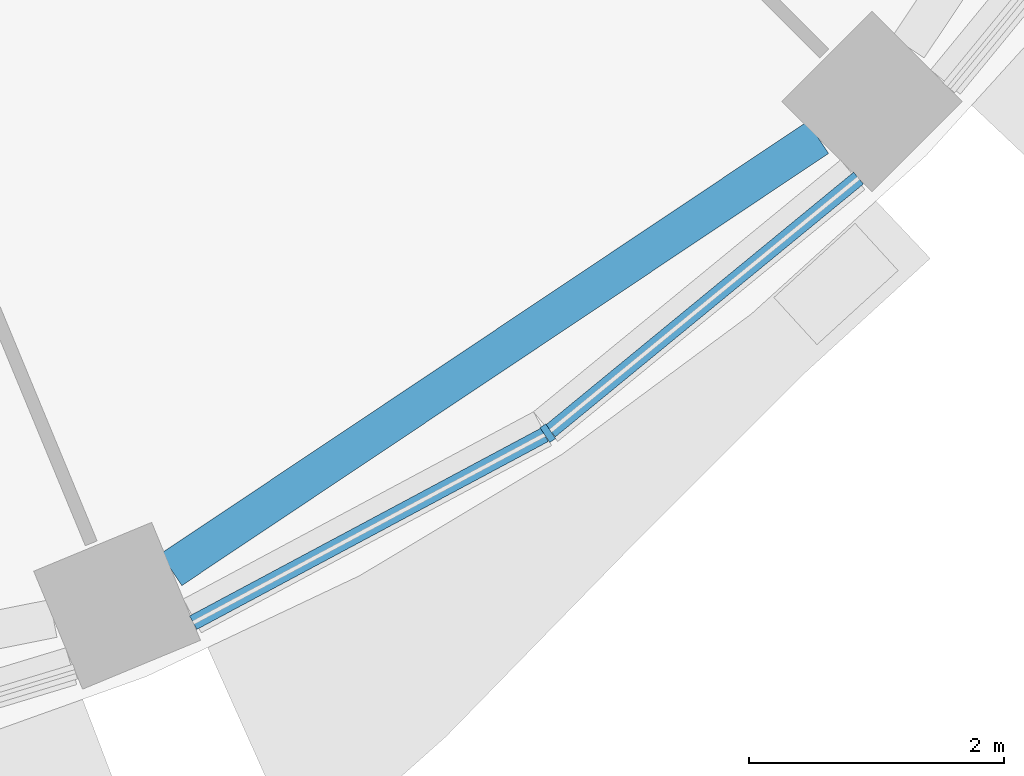
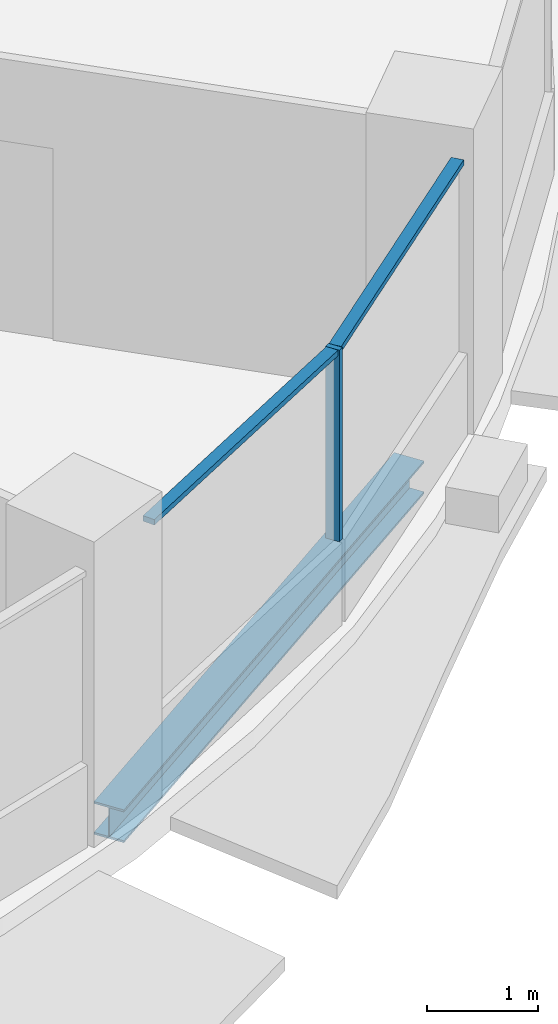
# One storey, part 3 of 15: 3 members, 1 beam, 1 element without a shape of its own.
"""IFC4 building model written with IfcOpenShell, lengths in metres."""

from ifc_helpers import new_model, si_unit, direction, frame, origin, origin_2d, place, context, subcontext, project, spatial, rectangle, i_section, extrude, material, material_profile, profile_set, type_object, element, aggregate, save


model = new_model("IFC4")

# Units and contexts
model_context = context("Model", 3, precision=1e-05, world=origin(), true_north=direction((0.0, 1.0)))
body_context = subcontext(model_context, "Body", "Model", "MODEL_VIEW")
ifc_project = project(units=[si_unit("LENGTHUNIT", "METRE"), si_unit("AREAUNIT", "SQUARE_METRE"), si_unit("VOLUMEUNIT", "CUBIC_METRE"), si_unit("PLANEANGLEUNIT", "RADIAN"), si_unit("MASSUNIT", "GRAM", prefix="KILO")], contexts=[model_context])

# Site, building, storey
site_placement = place(None, origin())
site = spatial("IfcSite", under=ifc_project, at=site_placement, CompositionType="ELEMENT")
building_placement = place(site_placement, origin())
building = spatial("IfcBuilding", under=site, at=building_placement, Name="Polderwave Tower", CompositionType="ELEMENT")
storey_placement = place(building_placement, frame((0.0, 0.0, 157.800048828125)))
storey = spatial("IfcBuildingStorey", under=building, at=storey_placement, Name="L42", CompositionType="ELEMENT", Elevation=157.800048828125)

# Curtain wall, members
ifc_material_1 = material(Name="Aluminium 6063-T6 and glass", Category="aluminium")
curtain_wall_type = type_object("IfcCurtainWallType", Name="Office ribbon glazing wall", PredefinedType="NOTDEFINED", material=ifc_material_1)
curtain_wall_placement = place(storey_placement, origin())
curtain_wall = element("IfcCurtainWall", 1, at=curtain_wall_placement, inside=storey, type_object=curtain_wall_type, Name="CW3 L42 13", PredefinedType="NOTDEFINED")
ifc_material_2 = material(Name="Aluminium 6063-T6", Category="aluminium")
ifc_material_profile_1 = material_profile(ifc_material_2, rectangle(XDim=0.139892578125, YDim=0.054931640625, at=origin_2d()), Name="AL 55x140")
ifc_profile_set_1 = profile_set([ifc_material_profile_1], Name="Aluminium 6063-T6")
member_type_1 = type_object("IfcMemberType", Name="Office ribbon glazing mullion 55x140", PredefinedType="MULLION", material=ifc_profile_set_1)
member_1_placement = place(storey_placement, frame((10.35009765625, -15.489990234375, 0.89990234375), z_axis=(0.0, 0.0, 1.0), x_axis=(-0.555548465006, 0.831484156812, 0.0)))
member_1 = element("IfcMember", 2, at=member_1_placement, type_object=member_type_1, Name="CW3 mullion 1", PredefinedType="MULLION", context=body_context, shape_type="SweptSolid", body=[
    extrude(rectangle(XDim=0.139892578125, YDim=0.054931640625, at=origin_2d()), origin(), (0.0, 0.0, 1.0), 2.10009765625),
])
ifc_material_profile_2 = material_profile(ifc_material_2, rectangle(XDim=0.1201171875, YDim=0.06005859375, at=origin_2d()), Name="AL 60x120")
ifc_profile_set_2 = profile_set([ifc_material_profile_2], Name="Aluminium 6063-T6")
member_type_2 = type_object("IfcMemberType", Name="Office ribbon glazing transom 60x120", PredefinedType="USERDEFINED", material=ifc_profile_set_2)
member_2_placement = place(storey_placement, frame((7.572021484375, -16.97509765625, 2.969970703125), z_axis=(0.881880665153, 0.471472684712, 0.0), x_axis=(-0.471472684712, 0.881880665153, 0.0)))
member_2 = element("IfcMember", 3, at=member_2_placement, type_object=member_type_2, Name="CW3 transom 1", ObjectType="TRANSOM", PredefinedType="USERDEFINED", context=body_context, shape_type="SweptSolid", body=[
    extrude(rectangle(XDim=0.1201171875, YDim=0.06005859375, at=origin_2d()), origin(), (0.0, 0.0, 1.0), 3.12255859375),
])
member_3_placement = place(storey_placement, frame((10.371337890625, -15.47265625, 2.969970703125), z_axis=(0.773019292913, 0.634382512988, 0.0), x_axis=(-0.634382512988, 0.773019292913, 0.0)))
member_3 = element("IfcMember", 4, at=member_3_placement, type_object=member_type_2, Name="CW3 transom 2", ObjectType="TRANSOM", PredefinedType="USERDEFINED", context=body_context, shape_type="SweptSolid", body=[
    extrude(rectangle(XDim=0.1201171875, YDim=0.06005859375, at=origin_2d()), origin(), (0.0, 0.0, 1.0), 3.122314453125),
])
aggregate(curtain_wall, [member_1, member_2, member_3])

# Beam
ifc_material_3 = material(Name="Steel S355", Category="steel")
ifc_material_profile_3 = material_profile(ifc_material_3, i_section(OverallWidth=0.300048828125, OverallDepth=0.360107421875, WebThickness=0.012451171875, FlangeThickness=0.0224609375, at=origin_2d()), Name="HE 360 B")
ifc_profile_set_3 = profile_set([ifc_material_profile_3], Name="Steel S355")
beam_type = type_object("IfcBeamType", Name="RING BEAM HE 360 B", PredefinedType="BEAM", material=ifc_profile_set_3)
beam_placement = place(storey_placement, frame((7.400146484375, -16.55908203125, -0.530029296875), z_axis=(0.831482776251, 0.555550531273, 0.0), x_axis=(-0.555550531273, 0.831482776251, 0.0)))
element("IfcBeam", 5, at=beam_placement, inside=storey, type_object=beam_type, Name="ST-RB-L42-13", PredefinedType="BEAM", context=body_context, shape_type="SweptSolid", body=[
    extrude(i_section(OverallWidth=0.300048828125, OverallDepth=0.360107421875, WebThickness=0.012451171875, FlangeThickness=0.0224609375, at=origin_2d()), origin(), (0.0, 0.0, 1.0), 6.093505859375),
])

save(model, "model.ifc")
